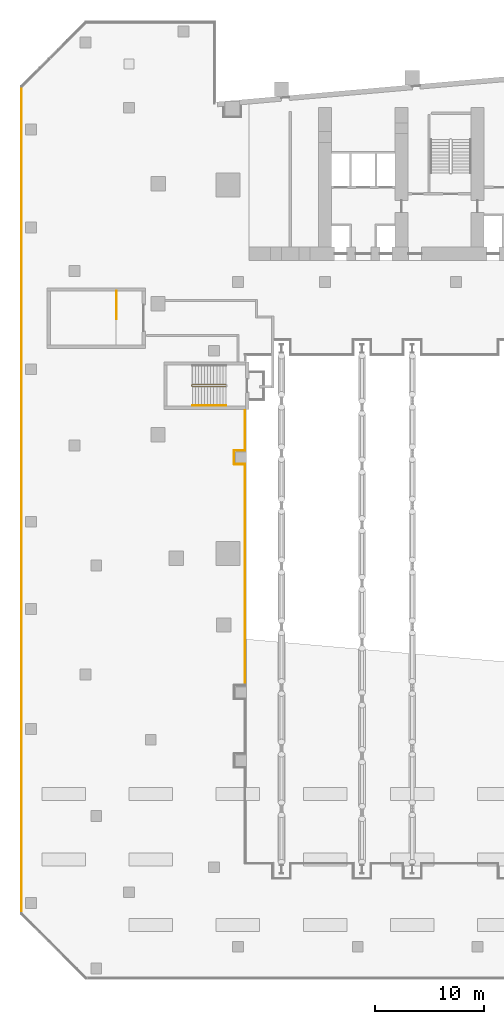
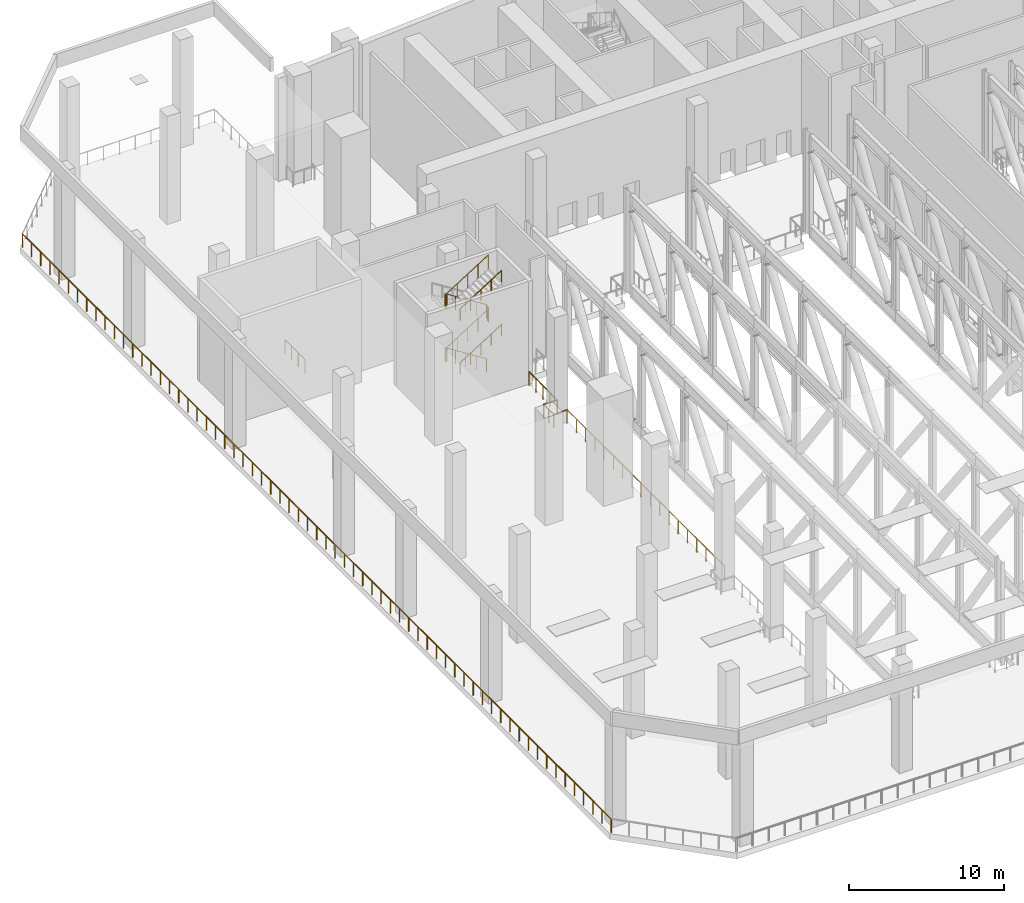
# One storey, part 22 of 33: 10 railings.
"""IFC4 building model written with IfcOpenShell, lengths in metres."""

from ifc_helpers import new_model, si_unit, direction, frame, origin, origin_2d, place, context, subcontext, project, spatial, circle, extrude, material, type_object, element, save


model = new_model("IFC4")

# Units and contexts
model_context = context("Model", 3, precision=1e-05, world=origin(), true_north=direction((0.0, 1.0)))
body_context = subcontext(model_context, "Body", "Model", "MODEL_VIEW")
ifc_project = project(units=[si_unit("LENGTHUNIT", "METRE"), si_unit("AREAUNIT", "SQUARE_METRE"), si_unit("VOLUMEUNIT", "CUBIC_METRE"), si_unit("PLANEANGLEUNIT", "RADIAN"), si_unit("MASSUNIT", "GRAM", prefix="KILO")], contexts=[model_context])

# Site, building, storey
site_placement = place(None, origin())
site = spatial("IfcSite", under=ifc_project, at=site_placement, CompositionType="ELEMENT")
building_placement = place(site_placement, origin())
building = spatial("IfcBuilding", under=site, at=building_placement, Name="Wharfspan Tower", CompositionType="ELEMENT")
storey_placement = place(building_placement, frame((0.0, 0.0, 33.0)))
storey = spatial("IfcBuildingStorey", under=building, at=storey_placement, Name="L05", CompositionType="ELEMENT", Elevation=33.0)

# Railings
ifc_material = material(Name="Steel S355J2", Category="steel")
railing_type_1 = type_object("IfcRailingType", Name="GUARD 1100 STEEL AND GLASS", PredefinedType="GUARDRAIL", material=ifc_material)
railing_1_placement = place(storey_placement, frame((-11.860107, -25.941895, 0.0)))
element("IfcRailing", 1, at=railing_1_placement, inside=storey, type_object=railing_type_1, Name="Guard on the deck edge", PredefinedType="GUARDRAIL", context=body_context, shape_type="SweptSolid", body=[
    extrude(circle(Radius=0.024902, at=origin_2d()), frame((0.0, 0.0, 1.075195), z_axis=(0.0, 1.0, 0.0), x_axis=(-1.0, 0.0, 0.0)), (0.0, 0.0, 1.0), 75.883789),
    extrude(circle(Radius=0.02002, at=origin_2d()), origin(), (0.0, 0.0, 1.0), 1.050049),
    extrude(circle(Radius=0.02002, at=origin_2d()), frame((0.0, 1.185791, 0.0)), (0.0, 0.0, 1.0), 1.050049),
    extrude(circle(Radius=0.02002, at=origin_2d()), frame((0.0, 2.371338, 0.0)), (0.0, 0.0, 1.0), 1.050049),
    extrude(circle(Radius=0.02002, at=origin_2d()), frame((0.0, 3.557129, 0.0)), (0.0, 0.0, 1.0), 1.050049),
    extrude(circle(Radius=0.02002, at=origin_2d()), frame((0.0, 4.742676, 0.0)), (0.0, 0.0, 1.0), 1.050049),
    extrude(circle(Radius=0.02002, at=origin_2d()), frame((0.0, 5.928467, 0.0)), (0.0, 0.0, 1.0), 1.050049),
    extrude(circle(Radius=0.02002, at=origin_2d()), frame((0.0, 7.114014, 0.0)), (0.0, 0.0, 1.0), 1.050049),
    extrude(circle(Radius=0.02002, at=origin_2d()), frame((0.0, 8.299805, 0.0)), (0.0, 0.0, 1.0), 1.050049),
    extrude(circle(Radius=0.02002, at=origin_2d()), frame((0.0, 9.485352, 0.0)), (0.0, 0.0, 1.0), 1.050049),
    extrude(circle(Radius=0.02002, at=origin_2d()), frame((0.0, 10.671143, 0.0)), (0.0, 0.0, 1.0), 1.050049),
    extrude(circle(Radius=0.02002, at=origin_2d()), frame((0.0, 11.856934, 0.0)), (0.0, 0.0, 1.0), 1.050049),
    extrude(circle(Radius=0.02002, at=origin_2d()), frame((0.0, 13.04248, 0.0)), (0.0, 0.0, 1.0), 1.050049),
    extrude(circle(Radius=0.02002, at=origin_2d()), frame((0.0, 14.228271, 0.0)), (0.0, 0.0, 1.0), 1.050049),
    extrude(circle(Radius=0.02002, at=origin_2d()), frame((0.0, 15.413818, 0.0)), (0.0, 0.0, 1.0), 1.050049),
    extrude(circle(Radius=0.02002, at=origin_2d()), frame((0.0, 16.599609, 0.0)), (0.0, 0.0, 1.0), 1.050049),
    extrude(circle(Radius=0.02002, at=origin_2d()), frame((0.0, 17.785156, 0.0)), (0.0, 0.0, 1.0), 1.050049),
    extrude(circle(Radius=0.02002, at=origin_2d()), frame((0.0, 18.970947, 0.0)), (0.0, 0.0, 1.0), 1.050049),
    extrude(circle(Radius=0.02002, at=origin_2d()), frame((0.0, 20.156738, 0.0)), (0.0, 0.0, 1.0), 1.050049),
    extrude(circle(Radius=0.02002, at=origin_2d()), frame((0.0, 21.342285, 0.0)), (0.0, 0.0, 1.0), 1.050049),
    extrude(circle(Radius=0.02002, at=origin_2d()), frame((0.0, 22.528076, 0.0)), (0.0, 0.0, 1.0), 1.050049),
    extrude(circle(Radius=0.02002, at=origin_2d()), frame((0.0, 23.713623, 0.0)), (0.0, 0.0, 1.0), 1.050049),
    extrude(circle(Radius=0.02002, at=origin_2d()), frame((0.0, 24.899414, 0.0)), (0.0, 0.0, 1.0), 1.050049),
    extrude(circle(Radius=0.02002, at=origin_2d()), frame((0.0, 26.084961, 0.0)), (0.0, 0.0, 1.0), 1.050049),
    extrude(circle(Radius=0.02002, at=origin_2d()), frame((0.0, 27.270752, 0.0)), (0.0, 0.0, 1.0), 1.050049),
    extrude(circle(Radius=0.02002, at=origin_2d()), frame((0.0, 28.456543, 0.0)), (0.0, 0.0, 1.0), 1.050049),
    extrude(circle(Radius=0.02002, at=origin_2d()), frame((0.0, 29.64209, 0.0)), (0.0, 0.0, 1.0), 1.050049),
    extrude(circle(Radius=0.02002, at=origin_2d()), frame((0.0, 30.827881, 0.0)), (0.0, 0.0, 1.0), 1.050049),
    extrude(circle(Radius=0.02002, at=origin_2d()), frame((0.0, 32.013428, 0.0)), (0.0, 0.0, 1.0), 1.050049),
    extrude(circle(Radius=0.02002, at=origin_2d()), frame((0.0, 33.199219, 0.0)), (0.0, 0.0, 1.0), 1.050049),
    extrude(circle(Radius=0.02002, at=origin_2d()), frame((0.0, 34.384766, 0.0)), (0.0, 0.0, 1.0), 1.050049),
    extrude(circle(Radius=0.02002, at=origin_2d()), frame((0.0, 35.570557, 0.0)), (0.0, 0.0, 1.0), 1.050049),
    extrude(circle(Radius=0.02002, at=origin_2d()), frame((0.0, 36.756104, 0.0)), (0.0, 0.0, 1.0), 1.050049),
    extrude(circle(Radius=0.02002, at=origin_2d()), frame((0.0, 37.941895, 0.0)), (0.0, 0.0, 1.0), 1.050049),
    extrude(circle(Radius=0.02002, at=origin_2d()), frame((0.0, 39.127686, 0.0)), (0.0, 0.0, 1.0), 1.050049),
    extrude(circle(Radius=0.02002, at=origin_2d()), frame((0.0, 40.313232, 0.0)), (0.0, 0.0, 1.0), 1.050049),
    extrude(circle(Radius=0.02002, at=origin_2d()), frame((0.0, 41.499023, 0.0)), (0.0, 0.0, 1.0), 1.050049),
    extrude(circle(Radius=0.02002, at=origin_2d()), frame((0.0, 42.68457, 0.0)), (0.0, 0.0, 1.0), 1.050049),
    extrude(circle(Radius=0.02002, at=origin_2d()), frame((0.0, 43.870361, 0.0)), (0.0, 0.0, 1.0), 1.050049),
    extrude(circle(Radius=0.02002, at=origin_2d()), frame((0.0, 45.055908, 0.0)), (0.0, 0.0, 1.0), 1.050049),
    extrude(circle(Radius=0.02002, at=origin_2d()), frame((0.0, 46.241699, 0.0)), (0.0, 0.0, 1.0), 1.050049),
    extrude(circle(Radius=0.02002, at=origin_2d()), frame((0.0, 47.427246, 0.0)), (0.0, 0.0, 1.0), 1.050049),
    extrude(circle(Radius=0.02002, at=origin_2d()), frame((0.0, 48.613037, 0.0)), (0.0, 0.0, 1.0), 1.050049),
    extrude(circle(Radius=0.02002, at=origin_2d()), frame((0.0, 49.798828, 0.0)), (0.0, 0.0, 1.0), 1.050049),
    extrude(circle(Radius=0.02002, at=origin_2d()), frame((0.0, 50.984375, 0.0)), (0.0, 0.0, 1.0), 1.050049),
    extrude(circle(Radius=0.02002, at=origin_2d()), frame((0.0, 52.170166, 0.0)), (0.0, 0.0, 1.0), 1.050049),
    extrude(circle(Radius=0.02002, at=origin_2d()), frame((0.0, 53.355713, 0.0)), (0.0, 0.0, 1.0), 1.050049),
    extrude(circle(Radius=0.02002, at=origin_2d()), frame((0.0, 54.541504, 0.0)), (0.0, 0.0, 1.0), 1.050049),
    extrude(circle(Radius=0.02002, at=origin_2d()), frame((0.0, 55.727051, 0.0)), (0.0, 0.0, 1.0), 1.050049),
    extrude(circle(Radius=0.02002, at=origin_2d()), frame((0.0, 56.912842, 0.0)), (0.0, 0.0, 1.0), 1.050049),
    extrude(circle(Radius=0.02002, at=origin_2d()), frame((0.0, 58.098633, 0.0)), (0.0, 0.0, 1.0), 1.050049),
    extrude(circle(Radius=0.02002, at=origin_2d()), frame((0.0, 59.28418, 0.0)), (0.0, 0.0, 1.0), 1.050049),
    extrude(circle(Radius=0.02002, at=origin_2d()), frame((0.0, 60.469971, 0.0)), (0.0, 0.0, 1.0), 1.050049),
    extrude(circle(Radius=0.02002, at=origin_2d()), frame((0.0, 61.655518, 0.0)), (0.0, 0.0, 1.0), 1.050049),
    extrude(circle(Radius=0.02002, at=origin_2d()), frame((0.0, 62.841309, 0.0)), (0.0, 0.0, 1.0), 1.050049),
    extrude(circle(Radius=0.02002, at=origin_2d()), frame((0.0, 64.026855, 0.0)), (0.0, 0.0, 1.0), 1.050049),
    extrude(circle(Radius=0.02002, at=origin_2d()), frame((0.0, 65.212646, 0.0)), (0.0, 0.0, 1.0), 1.050049),
    extrude(circle(Radius=0.02002, at=origin_2d()), frame((0.0, 66.398438, 0.0)), (0.0, 0.0, 1.0), 1.050049),
    extrude(circle(Radius=0.02002, at=origin_2d()), frame((0.0, 67.583984, 0.0)), (0.0, 0.0, 1.0), 1.050049),
    extrude(circle(Radius=0.02002, at=origin_2d()), frame((0.0, 68.769775, 0.0)), (0.0, 0.0, 1.0), 1.050049),
    extrude(circle(Radius=0.02002, at=origin_2d()), frame((0.0, 69.955322, 0.0)), (0.0, 0.0, 1.0), 1.050049),
    extrude(circle(Radius=0.02002, at=origin_2d()), frame((0.0, 71.141113, 0.0)), (0.0, 0.0, 1.0), 1.050049),
    extrude(circle(Radius=0.02002, at=origin_2d()), frame((0.0, 72.32666, 0.0)), (0.0, 0.0, 1.0), 1.050049),
    extrude(circle(Radius=0.02002, at=origin_2d()), frame((0.0, 73.512451, 0.0)), (0.0, 0.0, 1.0), 1.050049),
    extrude(circle(Radius=0.02002, at=origin_2d()), frame((0.0, 74.697998, 0.0)), (0.0, 0.0, 1.0), 1.050049),
    extrude(circle(Radius=0.02002, at=origin_2d()), frame((0.0, 75.883789, 0.0)), (0.0, 0.0, 1.0), 1.050049),
])
railing_2_placement = place(storey_placement, frame((8.659912, 20.205078, 0.0)))
element("IfcRailing", 2, at=railing_2_placement, inside=storey, type_object=railing_type_1, Name="Guard on the deck edge", PredefinedType="GUARDRAIL", context=body_context, shape_type="SweptSolid", body=[
    extrude(circle(Radius=0.024902, at=origin_2d()), frame((0.0, 0.0, 1.075195), z_axis=(0.0, -1.0, 0.0), x_axis=(1.0, 0.0, 0.0)), (0.0, 0.0, 1.0), 3.64502),
    extrude(circle(Radius=0.02002, at=origin_2d()), origin(), (0.0, 0.0, 1.0), 1.050049),
    extrude(circle(Radius=0.02002, at=origin_2d()), frame((0.0, -0.911133, 0.0)), (0.0, 0.0, 1.0), 1.050049),
    extrude(circle(Radius=0.02002, at=origin_2d()), frame((0.0, -1.82251, 0.0)), (0.0, 0.0, 1.0), 1.050049),
    extrude(circle(Radius=0.02002, at=origin_2d()), frame((0.0, -2.733887, 0.0)), (0.0, 0.0, 1.0), 1.050049),
    extrude(circle(Radius=0.02002, at=origin_2d()), frame((0.0, -3.64502, 0.0)), (0.0, 0.0, 1.0), 1.050049),
])
railing_3_placement = place(storey_placement, frame((8.659912, 16.560059, 0.0)))
element("IfcRailing", 3, at=railing_3_placement, inside=storey, type_object=railing_type_1, Name="Guard on the deck edge", PredefinedType="GUARDRAIL", context=body_context, shape_type="SweptSolid", body=[
    extrude(circle(Radius=0.024902, at=origin_2d()), frame((0.0, 0.0, 1.075195), z_axis=(-1.0, 0.0, 0.0), x_axis=(0.0, -1.0, 0.0)), (0.0, 0.0, 1.0), 1.0),
    extrude(circle(Radius=0.02002, at=origin_2d()), origin(), (0.0, 0.0, 1.0), 1.050049),
    extrude(circle(Radius=0.02002, at=origin_2d()), frame((-1.0, 0.0, 0.0)), (0.0, 0.0, 1.0), 1.050049),
])
railing_4_placement = place(storey_placement, frame((7.659912, 16.560059, 0.0)))
element("IfcRailing", 4, at=railing_4_placement, inside=storey, type_object=railing_type_1, Name="Guard on the deck edge", PredefinedType="GUARDRAIL", context=body_context, shape_type="SweptSolid", body=[
    extrude(circle(Radius=0.024902, at=origin_2d()), frame((0.0, 0.0, 1.075195), z_axis=(0.0, -1.0, 0.0), x_axis=(1.0, 0.0, 0.0)), (0.0, 0.0, 1.0), 1.280029),
    extrude(circle(Radius=0.02002, at=origin_2d()), origin(), (0.0, 0.0, 1.0), 1.050049),
    extrude(circle(Radius=0.02002, at=origin_2d()), frame((0.0, -0.640137, 0.0)), (0.0, 0.0, 1.0), 1.050049),
    extrude(circle(Radius=0.02002, at=origin_2d()), frame((0.0, -1.280029, 0.0)), (0.0, 0.0, 1.0), 1.050049),
])
railing_5_placement = place(storey_placement, frame((7.659912, 15.280029, 0.0)))
element("IfcRailing", 5, at=railing_5_placement, inside=storey, type_object=railing_type_1, Name="Guard on the deck edge", PredefinedType="GUARDRAIL", context=body_context, shape_type="SweptSolid", body=[
    extrude(circle(Radius=0.024902, at=origin_2d()), frame((0.0, 0.0, 1.075195), z_axis=(1.0, 0.0, 0.0), x_axis=(0.0, 1.0, 0.0)), (0.0, 0.0, 1.0), 1.0),
    extrude(circle(Radius=0.02002, at=origin_2d()), origin(), (0.0, 0.0, 1.0), 1.050049),
    extrude(circle(Radius=0.02002, at=origin_2d()), frame((1.0, 0.0, 0.0)), (0.0, 0.0, 1.0), 1.050049),
])
railing_6_placement = place(storey_placement, frame((8.659912, 15.280029, 0.0)))
element("IfcRailing", 6, at=railing_6_placement, inside=storey, type_object=railing_type_1, Name="Guard on the deck edge", PredefinedType="GUARDRAIL", context=body_context, shape_type="SweptSolid", body=[
    extrude(circle(Radius=0.024902, at=origin_2d()), frame((0.0, 0.0, 1.075195), z_axis=(0.0, -1.0, 0.0), x_axis=(1.0, 0.0, 0.0)), (0.0, 0.0, 1.0), 20.280029),
    extrude(circle(Radius=0.02002, at=origin_2d()), origin(), (0.0, 0.0, 1.0), 1.050049),
    extrude(circle(Radius=0.02002, at=origin_2d()), frame((0.0, -1.192871, 0.0)), (0.0, 0.0, 1.0), 1.050049),
    extrude(circle(Radius=0.02002, at=origin_2d()), frame((0.0, -2.385986, 0.0)), (0.0, 0.0, 1.0), 1.050049),
    extrude(circle(Radius=0.02002, at=origin_2d()), frame((0.0, -3.578857, 0.0)), (0.0, 0.0, 1.0), 1.050049),
    extrude(circle(Radius=0.02002, at=origin_2d()), frame((0.0, -4.771729, 0.0)), (0.0, 0.0, 1.0), 1.050049),
    extrude(circle(Radius=0.02002, at=origin_2d()), frame((0.0, -5.9646, 0.0)), (0.0, 0.0, 1.0), 1.050049),
    extrude(circle(Radius=0.02002, at=origin_2d()), frame((0.0, -7.157715, 0.0)), (0.0, 0.0, 1.0), 1.050049),
    extrude(circle(Radius=0.02002, at=origin_2d()), frame((0.0, -8.350586, 0.0)), (0.0, 0.0, 1.0), 1.050049),
    extrude(circle(Radius=0.02002, at=origin_2d()), frame((0.0, -9.543457, 0.0)), (0.0, 0.0, 1.0), 1.050049),
    extrude(circle(Radius=0.02002, at=origin_2d()), frame((0.0, -10.736572, 0.0)), (0.0, 0.0, 1.0), 1.050049),
    extrude(circle(Radius=0.02002, at=origin_2d()), frame((0.0, -11.929443, 0.0)), (0.0, 0.0, 1.0), 1.050049),
    extrude(circle(Radius=0.02002, at=origin_2d()), frame((0.0, -13.122314, 0.0)), (0.0, 0.0, 1.0), 1.050049),
    extrude(circle(Radius=0.02002, at=origin_2d()), frame((0.0, -14.31543, 0.0)), (0.0, 0.0, 1.0), 1.050049),
    extrude(circle(Radius=0.02002, at=origin_2d()), frame((0.0, -15.508301, 0.0)), (0.0, 0.0, 1.0), 1.050049),
    extrude(circle(Radius=0.02002, at=origin_2d()), frame((0.0, -16.701172, 0.0)), (0.0, 0.0, 1.0), 1.050049),
    extrude(circle(Radius=0.02002, at=origin_2d()), frame((0.0, -17.894043, 0.0)), (0.0, 0.0, 1.0), 1.050049),
    extrude(circle(Radius=0.02002, at=origin_2d()), frame((0.0, -19.087158, 0.0)), (0.0, 0.0, 1.0), 1.050049),
    extrude(circle(Radius=0.02002, at=origin_2d()), frame((0.0, -20.280029, 0.0)), (0.0, 0.0, 1.0), 1.050049),
])
railing_type_2 = type_object("IfcRailingType", Name="Podium guard 1100", PredefinedType="GUARDRAIL", material=ifc_material)
railing_7_placement = place(storey_placement, frame((-3.149902, 31.175049, 0.0)))
element("IfcRailing", 7, at=railing_7_placement, inside=storey, type_object=railing_type_2, Name="L05 PS3 top well guard 1", PredefinedType="GUARDRAIL", context=body_context, shape_type="SweptSolid", body=[
    extrude(circle(Radius=0.023926, at=origin_2d()), frame((0.0, 0.0, 1.076172), z_axis=(0.0, -1.0, 0.0), x_axis=(1.0, 0.0, 0.0)), (0.0, 0.0, 1.0), 2.550049),
    extrude(circle(Radius=0.020996, at=origin_2d()), origin(), (0.0, 0.0, 1.0), 1.052002),
    extrude(circle(Radius=0.020996, at=origin_2d()), frame((0.0, -0.850098, 0.0)), (0.0, 0.0, 1.0), 1.052002),
    extrude(circle(Radius=0.020996, at=origin_2d()), frame((0.0, -1.699951, 0.0)), (0.0, 0.0, 1.0), 1.052002),
    extrude(circle(Radius=0.020996, at=origin_2d()), frame((0.0, -2.550049, 0.0)), (0.0, 0.0, 1.0), 1.052002),
])
railing_type_3 = type_object("IfcRailingType", Name="Stair guard 1100", PredefinedType="GUARDRAIL", material=ifc_material)
railing_8_placement = place(storey_placement, frame((6.899902, 22.625, 0.177002)))
element("IfcRailing", 8, at=railing_8_placement, inside=storey, type_object=railing_type_3, Name="L05 ST3 stair guard 1", PredefinedType="GUARDRAIL", context=body_context, shape_type="SweptSolid", body=[
    extrude(circle(Radius=0.023926, at=origin_2d()), frame((0.0, 0.0, 1.076172), z_axis=(-0.845137, 0.0, 0.53455), x_axis=(0.0, -1.0, 0.0)), (0.0, 0.0, 1.0), 3.644287),
    extrude(circle(Radius=0.023926, at=origin_2d()), frame((-3.079834, 0.0, 3.023926), z_axis=(-0.707107, -0.707107, 0.0), x_axis=(0.707107, -0.707107, 0.0)), (0.0, 0.0, 1.0), 0.070801),
    extrude(circle(Radius=0.023926, at=origin_2d()), frame((-3.129883, -0.050049, 3.023926), z_axis=(0.0, -1.0, 0.0), x_axis=(1.0, 0.0, 0.0)), (0.0, 0.0, 1.0), 0.149902),
    extrude(circle(Radius=0.023926, at=origin_2d()), frame((-3.129883, -0.199951, 3.023926), z_axis=(0.262546, -0.262546, 0.928515), x_axis=(0.707107, 0.707107, 0.0)), (0.0, 0.0, 1.0), 0.190674),
    extrude(circle(Radius=0.023926, at=origin_2d()), frame((-3.079834, -0.25, 3.201172), z_axis=(0.845137, 0.0, 0.53455), x_axis=(0.0, 1.0, 0.0)), (0.0, 0.0, 1.0), 3.644287),
    extrude(circle(Radius=0.023926, at=origin_2d()), frame((0.0, -0.25, 5.148926), z_axis=(0.242814, 0.970073, 0.0), x_axis=(-0.970073, 0.242814, 0.0)), (0.0, 0.0, 1.0), 0.206055),
    extrude(circle(Radius=0.023926, at=origin_2d()), frame((0.050049, -0.050049, 5.148926), z_axis=(0.0, -1.0, 0.0), x_axis=(1.0, 0.0, 0.0)), (0.0, 0.0, 1.0), 0.149902),
    extrude(circle(Radius=0.023926, at=origin_2d()), frame((0.050049, -0.199951, 5.148926), z_axis=(-0.184214, 0.735955, 0.651487), x_axis=(-0.970075, -0.242813, -3e-06)), (0.0, 0.0, 1.0), 0.271729),
    extrude(circle(Radius=0.023926, at=origin_2d()), frame((0.0, 0.0, 5.326172), z_axis=(-0.845137, 0.0, 0.53455), x_axis=(0.0, -1.0, 0.0)), (0.0, 0.0, 1.0), 3.644287),
    extrude(circle(Radius=0.023926, at=origin_2d()), frame((-3.079834, 0.0, 7.273926), z_axis=(-0.707107, -0.707107, 0.0), x_axis=(0.707107, -0.707107, 0.0)), (0.0, 0.0, 1.0), 0.070801),
    extrude(circle(Radius=0.023926, at=origin_2d()), frame((-3.129883, -0.050049, 7.273926), z_axis=(0.0, -1.0, 0.0), x_axis=(1.0, 0.0, 0.0)), (0.0, 0.0, 1.0), 0.149902),
    extrude(circle(Radius=0.023926, at=origin_2d()), frame((-3.129883, -0.199951, 7.273926), z_axis=(0.262546, -0.262546, 0.928515), x_axis=(0.707107, 0.707107, 0.0)), (0.0, 0.0, 1.0), 0.190674),
    extrude(circle(Radius=0.023926, at=origin_2d()), frame((-3.079834, -0.25, 7.451172), z_axis=(0.845137, 0.0, 0.53455), x_axis=(0.0, 1.0, 0.0)), (0.0, 0.0, 1.0), 3.644287),
    extrude(circle(Radius=0.020996, at=origin_2d()), origin(), (0.0, 0.0, 1.0), 1.052002),
    extrude(circle(Radius=0.020996, at=origin_2d()), frame((-0.77002, 0.0, 0.487061)), (0.0, 0.0, 1.0), 1.052002),
    extrude(circle(Radius=0.020996, at=origin_2d()), frame((-1.540039, 0.0, 0.974121)), (0.0, 0.0, 1.0), 1.052002),
    extrude(circle(Radius=0.020996, at=origin_2d()), frame((-2.309814, 0.0, 1.460938)), (0.0, 0.0, 1.0), 1.052002),
    extrude(circle(Radius=0.020996, at=origin_2d()), frame((-3.079834, 0.0, 1.947998)), (0.0, 0.0, 1.0), 1.052002),
    extrude(circle(Radius=0.020996, at=origin_2d()), frame((-3.129883, -0.050049, 1.947998)), (0.0, 0.0, 1.0), 1.052002),
    extrude(circle(Radius=0.020996, at=origin_2d()), frame((-3.129883, -0.199951, 1.947998)), (0.0, 0.0, 1.0), 1.052002),
    extrude(circle(Radius=0.020996, at=origin_2d()), frame((-3.079834, -0.25, 2.125)), (0.0, 0.0, 1.0), 1.052002),
    extrude(circle(Radius=0.020996, at=origin_2d()), frame((-2.309814, -0.25, 2.612061)), (0.0, 0.0, 1.0), 1.052002),
    extrude(circle(Radius=0.020996, at=origin_2d()), frame((-1.540039, -0.25, 3.099121)), (0.0, 0.0, 1.0), 1.052002),
    extrude(circle(Radius=0.020996, at=origin_2d()), frame((-0.77002, -0.25, 3.585938)), (0.0, 0.0, 1.0), 1.052002),
    extrude(circle(Radius=0.020996, at=origin_2d()), frame((0.0, -0.25, 4.072998)), (0.0, 0.0, 1.0), 1.052002),
    extrude(circle(Radius=0.020996, at=origin_2d()), frame((0.050049, -0.050049, 4.072998)), (0.0, 0.0, 1.0), 1.052002),
    extrude(circle(Radius=0.020996, at=origin_2d()), frame((0.050049, -0.199951, 4.072998)), (0.0, 0.0, 1.0), 1.052002),
    extrude(circle(Radius=0.020996, at=origin_2d()), frame((0.0, 0.0, 4.25)), (0.0, 0.0, 1.0), 1.052002),
    extrude(circle(Radius=0.020996, at=origin_2d()), frame((-0.77002, 0.0, 4.737061)), (0.0, 0.0, 1.0), 1.052002),
    extrude(circle(Radius=0.020996, at=origin_2d()), frame((-1.540039, 0.0, 5.224121)), (0.0, 0.0, 1.0), 1.052002),
    extrude(circle(Radius=0.020996, at=origin_2d()), frame((-2.309814, 0.0, 5.710938)), (0.0, 0.0, 1.0), 1.052002),
    extrude(circle(Radius=0.020996, at=origin_2d()), frame((-3.079834, 0.0, 6.197998)), (0.0, 0.0, 1.0), 1.052002),
    extrude(circle(Radius=0.020996, at=origin_2d()), frame((-3.129883, -0.050049, 6.197998)), (0.0, 0.0, 1.0), 1.052002),
    extrude(circle(Radius=0.020996, at=origin_2d()), frame((-3.129883, -0.199951, 6.197998)), (0.0, 0.0, 1.0), 1.052002),
    extrude(circle(Radius=0.020996, at=origin_2d()), frame((-3.079834, -0.25, 6.375)), (0.0, 0.0, 1.0), 1.052002),
    extrude(circle(Radius=0.020996, at=origin_2d()), frame((-2.309814, -0.25, 6.862061)), (0.0, 0.0, 1.0), 1.052002),
    extrude(circle(Radius=0.020996, at=origin_2d()), frame((-1.540039, -0.25, 7.349121)), (0.0, 0.0, 1.0), 1.052002),
    extrude(circle(Radius=0.020996, at=origin_2d()), frame((-0.77002, -0.25, 7.835938)), (0.0, 0.0, 1.0), 1.052002),
    extrude(circle(Radius=0.020996, at=origin_2d()), frame((0.0, -0.25, 8.322998)), (0.0, 0.0, 1.0), 1.052002),
])
railing_type_4 = type_object("IfcRailingType", Name="Stair handrail 900", PredefinedType="HANDRAIL", material=ifc_material)
for number, where, name in (
    (9, (3.820068, 20.675049, 2.302002), "L05 ST3 stair handrail 2"),
    (10, (3.820068, 20.675049, 6.552002), "L05 ST3 stair handrail 4"),
):
    element("IfcRailing", number, at=place(storey_placement, frame(where)), inside=storey, type_object=railing_type_4, Name=name, PredefinedType="HANDRAIL", context=body_context, shape_type="SweptSolid", body=[
        extrude(circle(Radius=0.023926, at=origin_2d()), frame((0.0, 0.0, 0.875977), z_axis=(0.845137, 0.0, 0.53455), x_axis=(0.0, 1.0, 0.0)), (0.0, 0.0, 1.0), 3.644287),
        extrude(circle(Radius=0.020996, at=origin_2d()), origin(), (0.0, 0.0, 1.0), 0.851807),
        extrude(circle(Radius=0.020996, at=origin_2d()), frame((0.77002, 0.0, 0.487061)), (0.0, 0.0, 1.0), 0.851807),
        extrude(circle(Radius=0.020996, at=origin_2d()), frame((1.540039, 0.0, 0.974121)), (0.0, 0.0, 1.0), 0.851807),
        extrude(circle(Radius=0.020996, at=origin_2d()), frame((2.309814, 0.0, 1.460938)), (0.0, 0.0, 1.0), 0.851807),
        extrude(circle(Radius=0.020996, at=origin_2d()), frame((3.079834, 0.0, 1.947998)), (0.0, 0.0, 1.0), 0.851807),
    ])

save(model, "model.ifc")
